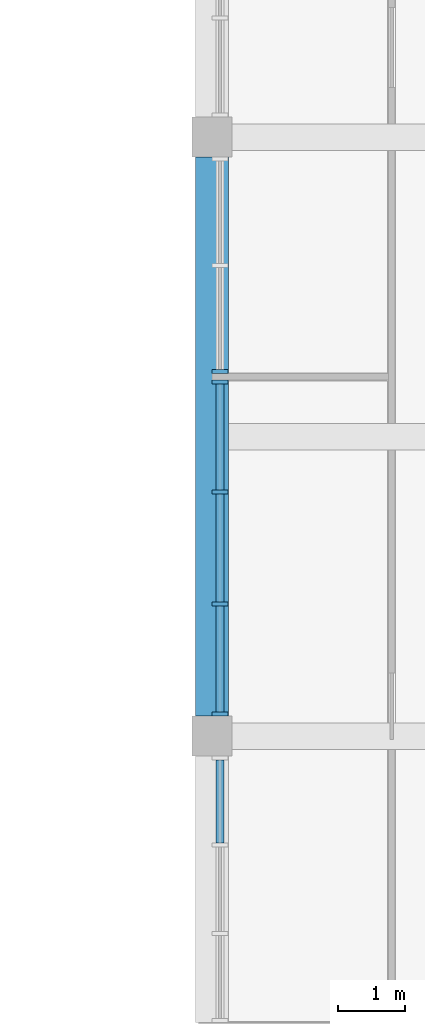
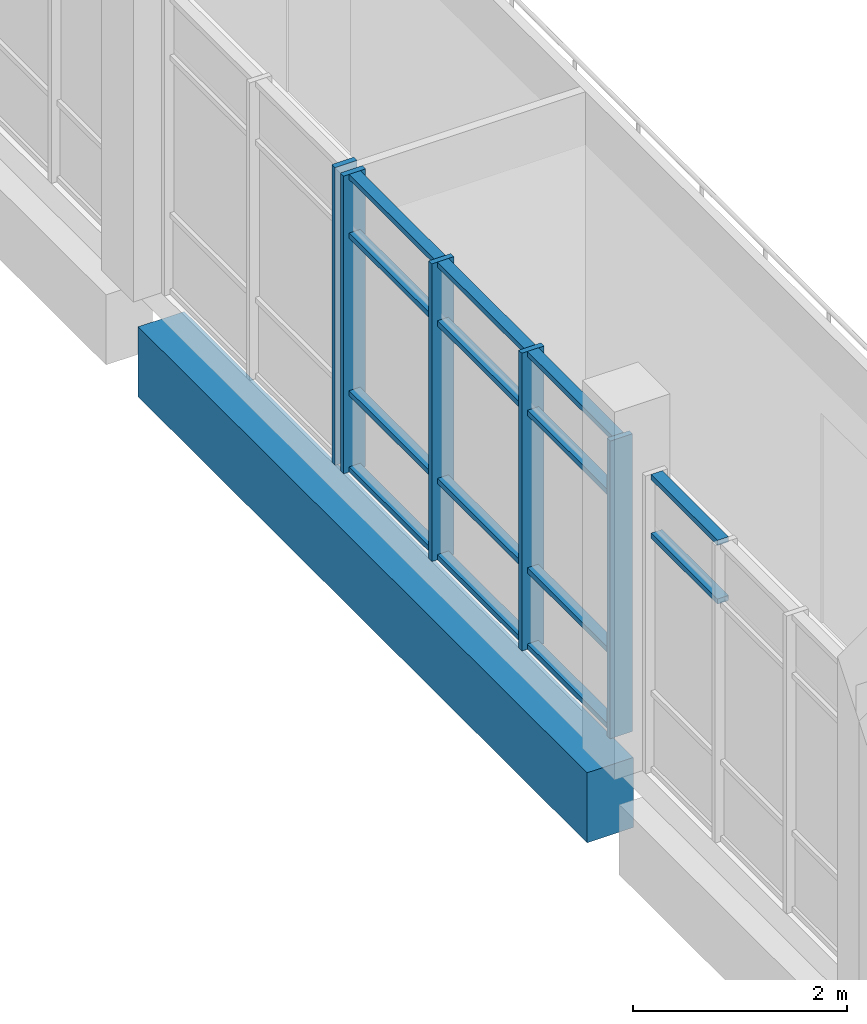
# One storey, part 3 of 92: 19 members, 1 beam, 3 elements without a shape of their own.
"""IFC4 building model written with IfcOpenShell, lengths in metres."""

from ifc_helpers import new_model, si_unit, direction, frame, origin, origin_2d, place, context, subcontext, project, spatial, rectangle, extrude, material, material_profile, profile_set, type_object, element, aggregate, save


model = new_model("IFC4")

# Units and contexts
model_context = context("Model", 3, precision=1e-05, world=origin(), true_north=direction((0.0, 1.0)))
body_context = subcontext(model_context, "Body", "Model", "MODEL_VIEW")
ifc_project = project(units=[si_unit("LENGTHUNIT", "METRE"), si_unit("AREAUNIT", "SQUARE_METRE"), si_unit("VOLUMEUNIT", "CUBIC_METRE"), si_unit("PLANEANGLEUNIT", "RADIAN"), si_unit("MASSUNIT", "GRAM", prefix="KILO")], contexts=[model_context])

# Site, building, storey
site_placement = place(None, origin())
site = spatial("IfcSite", under=ifc_project, at=site_placement, CompositionType="ELEMENT")
building_placement = place(site_placement, origin())
building = spatial("IfcBuilding", under=site, at=building_placement, Name="Merrow Basin Faculty of Sciences", CompositionType="ELEMENT")
storey_placement = place(building_placement, frame((0.0, 0.0, 4.5)))
storey = spatial("IfcBuildingStorey", under=building, at=storey_placement, Name="L01", CompositionType="ELEMENT", Elevation=4.5)

# Curtain wall, members
ifc_material_1 = material(Name="Aluminium alloy 6063", Category="aluminium")
curtain_wall_type = type_object("IfcCurtainWallType", Name="Atrium unitised curtain wall 240", PredefinedType="NOTDEFINED", material=ifc_material_1)
curtain_wall_1_placement = place(storey_placement, origin())
curtain_wall_1 = element("IfcCurtainWall", 1, at=curtain_wall_1_placement, inside=storey, type_object=curtain_wall_type, Name="W curtain wall L01 2", PredefinedType="NOTDEFINED")
ifc_material_2 = material(Name="Aluminium alloy 6063", Category="aluminium")
ifc_material_profile_1 = material_profile(ifc_material_2, rectangle(XDim=0.239990234375, YDim=0.06005859375, at=origin_2d()))
ifc_profile_set_1 = profile_set([ifc_material_profile_1], Name="Aluminium alloy 6063")
member_type_1 = type_object("IfcMemberType", Name="Aluminium mullion 60x240", PredefinedType="MULLION", material=ifc_profile_set_1)
member_1_placement = place(storey_placement, frame((45.1201171875, 18.330078125, 0.0), z_axis=(0.0, 0.0, 1.0), x_axis=(-1.0, 0.0, 0.0)))
member_1 = element("IfcMember", 2, at=member_1_placement, type_object=member_type_1, Name="CW5 mullion 1", PredefinedType="MULLION", context=body_context, shape_type="SweptSolid", body=[
    extrude(rectangle(XDim=0.239990234375, YDim=0.06005859375, at=origin_2d()), origin(), (0.0, 0.0, 1.0), 3.39990234375),
])
member_2_placement = place(storey_placement, frame((45.1201171875, 19.9833984375, 0.0), z_axis=(0.0, 0.0, 1.0), x_axis=(-1.0, 0.0, 0.0)))
member_2 = element("IfcMember", 3, at=member_2_placement, type_object=member_type_1, Name="CW5 mullion 2", PredefinedType="MULLION", context=body_context, shape_type="SweptSolid", body=[
    extrude(rectangle(XDim=0.239990234375, YDim=0.06005859375, at=origin_2d()), origin(), (0.0, 0.0, 1.0), 3.39990234375),
])
member_3_placement = place(storey_placement, frame((45.1201171875, 21.666748046875, 0.0), z_axis=(0.0, 0.0, 1.0), x_axis=(-1.0, 0.0, 0.0)))
member_3 = element("IfcMember", 4, at=member_3_placement, type_object=member_type_1, Name="CW5 mullion 3", PredefinedType="MULLION", context=body_context, shape_type="SweptSolid", body=[
    extrude(rectangle(XDim=0.239990234375, YDim=0.06005859375, at=origin_2d()), origin(), (0.0, 0.0, 1.0), 3.39990234375),
])
member_4_placement = place(storey_placement, frame((45.1201171875, 23.320068359375, 0.0), z_axis=(0.0, 0.0, 1.0), x_axis=(-1.0, 0.0, 0.0)))
member_4 = element("IfcMember", 5, at=member_4_placement, type_object=member_type_1, Name="CW5 mullion 4", PredefinedType="MULLION", context=body_context, shape_type="SweptSolid", body=[
    extrude(rectangle(XDim=0.239990234375, YDim=0.06005859375, at=origin_2d()), origin(), (0.0, 0.0, 1.0), 3.39990234375),
])

# Curtain wall, member
curtain_wall_2_placement = place(storey_placement, origin())
curtain_wall_2 = element("IfcCurtainWall", 6, at=curtain_wall_2_placement, inside=storey, type_object=curtain_wall_type, Name="W curtain wall L01 3", PredefinedType="NOTDEFINED")
member_5_placement = place(storey_placement, frame((45.1201171875, 23.47998046875, 0.0), z_axis=(0.0, 0.0, 1.0), x_axis=(-1.0, 0.0, 0.0)))
member_5 = element("IfcMember", 7, at=member_5_placement, type_object=member_type_1, Name="CW5 mullion 1", PredefinedType="MULLION", context=body_context, shape_type="SweptSolid", body=[
    extrude(rectangle(XDim=0.239990234375, YDim=0.06005859375, at=origin_2d()), origin(), (0.0, 0.0, 1.0), 3.39990234375),
])
aggregate(curtain_wall_2, [member_5])

# Curtain wall, members
curtain_wall_3_placement = place(storey_placement, origin())
curtain_wall_3 = element("IfcCurtainWall", 8, at=curtain_wall_3_placement, inside=storey, type_object=curtain_wall_type, Name="W curtain wall L01 1", PredefinedType="NOTDEFINED")
ifc_material_3 = material(Name="Aluminium alloy 6063", Category="aluminium")
ifc_material_profile_2 = material_profile(ifc_material_3, rectangle(XDim=0.1201171875, YDim=0.06005859375, at=origin_2d()))
ifc_profile_set_2 = profile_set([ifc_material_profile_2], Name="Aluminium alloy 6063")
member_type_2 = type_object("IfcMemberType", Name="Aluminium transom 60x120", PredefinedType="USERDEFINED", material=ifc_profile_set_2)
member_6_placement = place(storey_placement, frame((45.1201171875, 16.396728515625, 2.699951171875), z_axis=(0.0, 1.0, 0.0), x_axis=(-1.0, 0.0, 0.0)))
member_6 = element("IfcMember", 9, at=member_6_placement, type_object=member_type_2, Name="CW5 transom 3.3", ObjectType="TRANSOM", PredefinedType="USERDEFINED", context=body_context, shape_type="SweptSolid", body=[
    extrude(rectangle(XDim=0.1201171875, YDim=0.06005859375, at=origin_2d()), origin(), (0.0, 0.0, 1.0), 1.2431640625),
])
member_7_placement = place(storey_placement, frame((45.1201171875, 16.396728515625, 3.3701171875), z_axis=(0.0, 1.0, 0.0), x_axis=(-1.0, 0.0, 0.0)))
member_7 = element("IfcMember", 10, at=member_7_placement, type_object=member_type_2, Name="CW5 transom 3.4", ObjectType="TRANSOM", PredefinedType="USERDEFINED", context=body_context, shape_type="SweptSolid", body=[
    extrude(rectangle(XDim=0.1201171875, YDim=0.06005859375, at=origin_2d()), origin(), (0.0, 0.0, 1.0), 1.2431640625),
])
aggregate(curtain_wall_3, [member_6, member_7])

# Member
member_8_placement = place(storey_placement, frame((45.1201171875, 18.360107421875, 0.030029296875), z_axis=(0.0, 1.0, 0.0), x_axis=(-1.0, 0.0, 0.0)))
member_8 = element("IfcMember", 11, at=member_8_placement, type_object=member_type_2, Name="CW5 transom 1.1", ObjectType="TRANSOM", PredefinedType="USERDEFINED", context=body_context, shape_type="SweptSolid", body=[
    extrude(rectangle(XDim=0.1201171875, YDim=0.06005859375, at=origin_2d()), origin(), (0.0, 0.0, 1.0), 1.59326171875),
])

member_9_placement = place(storey_placement, frame((45.1201171875, 18.360107421875, 0.89990234375), z_axis=(0.0, 1.0, 0.0), x_axis=(-1.0, 0.0, 0.0)))
member_9 = element("IfcMember", 12, at=member_9_placement, type_object=member_type_2, Name="CW5 transom 1.2", ObjectType="TRANSOM", PredefinedType="USERDEFINED", context=body_context, shape_type="SweptSolid", body=[
    extrude(rectangle(XDim=0.1201171875, YDim=0.06005859375, at=origin_2d()), origin(), (0.0, 0.0, 1.0), 1.59326171875),
])

member_10_placement = place(storey_placement, frame((45.1201171875, 18.360107421875, 2.699951171875), z_axis=(0.0, 1.0, 0.0), x_axis=(-1.0, 0.0, 0.0)))
member_10 = element("IfcMember", 13, at=member_10_placement, type_object=member_type_2, Name="CW5 transom 1.3", ObjectType="TRANSOM", PredefinedType="USERDEFINED", context=body_context, shape_type="SweptSolid", body=[
    extrude(rectangle(XDim=0.1201171875, YDim=0.06005859375, at=origin_2d()), origin(), (0.0, 0.0, 1.0), 1.59326171875),
])

member_11_placement = place(storey_placement, frame((45.1201171875, 18.360107421875, 3.3701171875), z_axis=(0.0, 1.0, 0.0), x_axis=(-1.0, 0.0, 0.0)))
member_11 = element("IfcMember", 14, at=member_11_placement, type_object=member_type_2, Name="CW5 transom 1.4", ObjectType="TRANSOM", PredefinedType="USERDEFINED", context=body_context, shape_type="SweptSolid", body=[
    extrude(rectangle(XDim=0.1201171875, YDim=0.06005859375, at=origin_2d()), origin(), (0.0, 0.0, 1.0), 1.59326171875),
])

member_12_placement = place(storey_placement, frame((45.1201171875, 20.013427734375, 0.030029296875), z_axis=(0.0, 1.0, 0.0), x_axis=(-1.0, 0.0, 0.0)))
member_12 = element("IfcMember", 15, at=member_12_placement, type_object=member_type_2, Name="CW5 transom 2.1", ObjectType="TRANSOM", PredefinedType="USERDEFINED", context=body_context, shape_type="SweptSolid", body=[
    extrude(rectangle(XDim=0.1201171875, YDim=0.06005859375, at=origin_2d()), origin(), (0.0, 0.0, 1.0), 1.623291015625),
])

member_13_placement = place(storey_placement, frame((45.1201171875, 20.013427734375, 0.89990234375), z_axis=(0.0, 1.0, 0.0), x_axis=(-1.0, 0.0, 0.0)))
member_13 = element("IfcMember", 16, at=member_13_placement, type_object=member_type_2, Name="CW5 transom 2.2", ObjectType="TRANSOM", PredefinedType="USERDEFINED", context=body_context, shape_type="SweptSolid", body=[
    extrude(rectangle(XDim=0.1201171875, YDim=0.06005859375, at=origin_2d()), origin(), (0.0, 0.0, 1.0), 1.623291015625),
])

member_14_placement = place(storey_placement, frame((45.1201171875, 20.013427734375, 2.699951171875), z_axis=(0.0, 1.0, 0.0), x_axis=(-1.0, 0.0, 0.0)))
member_14 = element("IfcMember", 17, at=member_14_placement, type_object=member_type_2, Name="CW5 transom 2.3", ObjectType="TRANSOM", PredefinedType="USERDEFINED", context=body_context, shape_type="SweptSolid", body=[
    extrude(rectangle(XDim=0.1201171875, YDim=0.06005859375, at=origin_2d()), origin(), (0.0, 0.0, 1.0), 1.623291015625),
])

member_15_placement = place(storey_placement, frame((45.1201171875, 20.013427734375, 3.3701171875), z_axis=(0.0, 1.0, 0.0), x_axis=(-1.0, 0.0, 0.0)))
member_15 = element("IfcMember", 18, at=member_15_placement, type_object=member_type_2, Name="CW5 transom 2.4", ObjectType="TRANSOM", PredefinedType="USERDEFINED", context=body_context, shape_type="SweptSolid", body=[
    extrude(rectangle(XDim=0.1201171875, YDim=0.06005859375, at=origin_2d()), origin(), (0.0, 0.0, 1.0), 1.623291015625),
])

member_16_placement = place(storey_placement, frame((45.1201171875, 21.69677734375, 0.030029296875), z_axis=(0.0, 1.0, 0.0), x_axis=(-1.0, 0.0, 0.0)))
member_16 = element("IfcMember", 19, at=member_16_placement, type_object=member_type_2, Name="CW5 transom 3.1", ObjectType="TRANSOM", PredefinedType="USERDEFINED", context=body_context, shape_type="SweptSolid", body=[
    extrude(rectangle(XDim=0.1201171875, YDim=0.06005859375, at=origin_2d()), origin(), (0.0, 0.0, 1.0), 1.59326171875),
])

member_17_placement = place(storey_placement, frame((45.1201171875, 21.69677734375, 0.89990234375), z_axis=(0.0, 1.0, 0.0), x_axis=(-1.0, 0.0, 0.0)))
member_17 = element("IfcMember", 20, at=member_17_placement, type_object=member_type_2, Name="CW5 transom 3.2", ObjectType="TRANSOM", PredefinedType="USERDEFINED", context=body_context, shape_type="SweptSolid", body=[
    extrude(rectangle(XDim=0.1201171875, YDim=0.06005859375, at=origin_2d()), origin(), (0.0, 0.0, 1.0), 1.59326171875),
])

member_18_placement = place(storey_placement, frame((45.1201171875, 21.69677734375, 2.699951171875), z_axis=(0.0, 1.0, 0.0), x_axis=(-1.0, 0.0, 0.0)))
member_18 = element("IfcMember", 21, at=member_18_placement, type_object=member_type_2, Name="CW5 transom 3.3", ObjectType="TRANSOM", PredefinedType="USERDEFINED", context=body_context, shape_type="SweptSolid", body=[
    extrude(rectangle(XDim=0.1201171875, YDim=0.06005859375, at=origin_2d()), origin(), (0.0, 0.0, 1.0), 1.59326171875),
])

member_19_placement = place(storey_placement, frame((45.1201171875, 21.69677734375, 3.3701171875), z_axis=(0.0, 1.0, 0.0), x_axis=(-1.0, 0.0, 0.0)))
member_19 = element("IfcMember", 22, at=member_19_placement, type_object=member_type_2, Name="CW5 transom 3.4", ObjectType="TRANSOM", PredefinedType="USERDEFINED", context=body_context, shape_type="SweptSolid", body=[
    extrude(rectangle(XDim=0.1201171875, YDim=0.06005859375, at=origin_2d()), origin(), (0.0, 0.0, 1.0), 1.59326171875),
])

aggregate(curtain_wall_1, [member_1, member_2, member_3, member_4, member_8, member_9, member_10, member_11, member_12, member_13, member_14, member_15, member_16, member_17, member_18, member_19])

# Beam
ifc_material_4 = material(Name="Concrete C40/50", Category="concrete")
ifc_material_profile_3 = material_profile(ifc_material_4, rectangle(XDim=0.5, YDim=0.800048828125, at=origin_2d()))
ifc_profile_set_3 = profile_set([ifc_material_profile_3], Name="Concrete C40/50")
beam_type = type_object("IfcBeamType", Name="Beam RC500x800 C40/50", PredefinedType="BEAM", material=ifc_profile_set_3)
beam_placement = place(storey_placement, frame((45.0, 18.300048828125, -0.699951171875), z_axis=(0.0, 1.0, 0.0), x_axis=(-1.0, 0.0, 0.0)))
element("IfcBeam", 23, at=beam_placement, inside=storey, type_object=beam_type, Name="B4 L01 008", PredefinedType="BEAM", context=body_context, shape_type="SweptSolid", body=[
    extrude(rectangle(XDim=0.5, YDim=0.800048828125, at=origin_2d()), origin(), (0.0, 0.0, 1.0), 8.39990234375),
])

save(model, "model.ifc")
